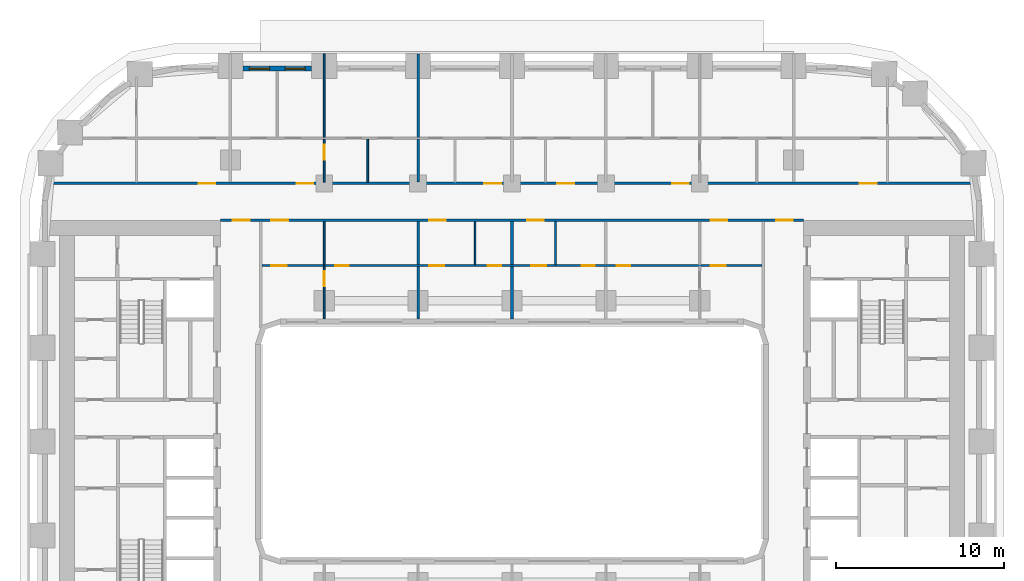
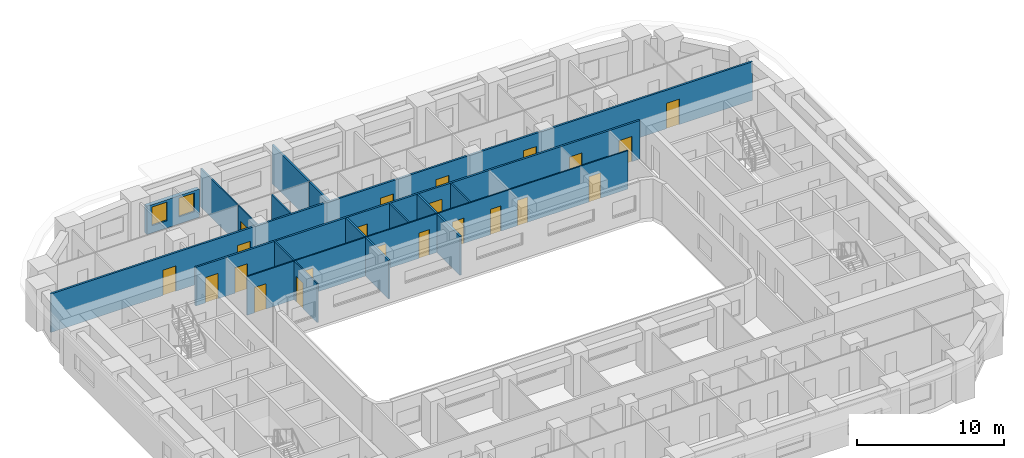
# One storey, part 8 of 21: 22 doors, 17 walls, 2 windows, 24 openings.
"""IFC4 building model written with IfcOpenShell, lengths in metres."""

from ifc_helpers import new_model, si_unit, direction, frame, frame_2d, origin, place, context, subcontext, project, spatial, rectangle, extrude, material, layer, layer_set, type_object, element, fill, save


model = new_model("IFC4")

# Units and contexts
model_context = context("Model", 3, precision=1e-05, world=origin(), true_north=direction((0.0, 1.0)))
body_context = subcontext(model_context, "Body", "Model", "MODEL_VIEW")
ifc_project = project(units=[si_unit("LENGTHUNIT", "METRE"), si_unit("AREAUNIT", "SQUARE_METRE"), si_unit("VOLUMEUNIT", "CUBIC_METRE"), si_unit("PLANEANGLEUNIT", "RADIAN"), si_unit("MASSUNIT", "GRAM", prefix="KILO")], contexts=[model_context])

# Site, building, storey
site_placement = place(None, origin())
site = spatial("IfcSite", under=ifc_project, at=site_placement, CompositionType="ELEMENT")
building_placement = place(site_placement, origin())
building = spatial("IfcBuilding", under=site, at=building_placement, Name="Kiln Ring Residences", CompositionType="ELEMENT")
storey_placement = place(building_placement, frame((0.0, 0.0, 41.0)))
storey = spatial("IfcBuildingStorey", under=building, at=storey_placement, Name="L09", CompositionType="ELEMENT", Elevation=41.0)

# Wall, openings, windows
ifc_material_1 = material(Name="Brick masonry, dark clay brick", Category="masonry")
ifc_layer_1 = layer(ifc_material_1, 0.300048828125)
ifc_layer_set_1 = layer_set([ifc_layer_1], Name="EW-300 BRICK WALL")
wall_type_1 = type_object("IfcWallType", Name="EW-300 BRICK WALL", PredefinedType="SOLIDWALL", material=ifc_layer_set_1)
wall_1_placement = place(storey_placement, frame((-11.949951171875, 22.25, 0.0), z_axis=(0.0, 0.0, 1.0), x_axis=(-1.0, 0.0, 0.0)))
wall_1 = element("IfcWall", 1, at=wall_1_placement, inside=storey, type_object=wall_type_1, Name="Facade wall L09 34", PredefinedType="SOLIDWALL", context=body_context, shape_type="SweptSolid", body=[
    extrude(rectangle(XDim=4.10009765625, YDim=0.300048828125, at=frame_2d((2.050048828125, 0.0))), origin(), (0.0, 0.0, 1.0), 2.35009765625),
])
opening_1_placement = place(wall_1_placement, frame((0.387451171875, 0.0, 0.60009765625)))
opening_1 = element("IfcOpeningElement", 2, at=opening_1_placement, cuts=wall_1, Name="Opening W1", PredefinedType="OPENING", context=body_context, shape_type="SweptSolid", body=[
    extrude(rectangle(XDim=1.199951171875, YDim=1.550048828125, at=frame_2d((0.60009765625, 0.77490234375))), frame((0.0, 0.159912109375, 0.0), z_axis=(0.0, -1.0, 0.0), x_axis=(1.0, 0.0, 0.0)), (0.0, 0.0, 1.0), 0.320068359375),
])
opening_2_placement = place(wall_1_placement, frame((2.512451171875, 0.0, 0.60009765625)))
opening_2 = element("IfcOpeningElement", 3, at=opening_2_placement, cuts=wall_1, Name="Opening W1", PredefinedType="OPENING", context=body_context, shape_type="SweptSolid", body=[
    extrude(rectangle(XDim=1.199951171875, YDim=1.550048828125, at=frame_2d((0.60009765625, 0.77490234375))), frame((0.0, 0.159912109375, 0.0), z_axis=(0.0, -1.0, 0.0), x_axis=(1.0, 0.0, 0.0)), (0.0, 0.0, 1.0), 0.320068359375),
])
ifc_material_2 = material(Name="Aluminium frame with double glazing", Category="aluminium")
window_type = type_object("IfcWindowType", Name="WINDOW 1200 x 1550", PartitioningType="SINGLE_PANEL", PredefinedType="WINDOW", material=ifc_material_2)
window_1_placement = place(opening_1_placement, origin())
window_1 = element("IfcWindow", 4, at=window_1_placement, inside=storey, type_object=window_type, Name="Window L09 20", OverallHeight=1.550048828125, OverallWidth=1.199951171875, PartitioningType="SINGLE_PANEL", PredefinedType="WINDOW", context=body_context, shape_type="SweptSolid", body=[
    extrude(rectangle(XDim=1.199951171875, YDim=1.550048828125, at=frame_2d((0.60009765625, 0.77490234375))), frame((0.0, 0.030029296875, 0.0), z_axis=(0.0, -1.0, 0.0), x_axis=(1.0, 0.0, 0.0)), (0.0, 0.0, 1.0), 0.06005859375),
])
fill(opening_1, window_1)
window_2_placement = place(opening_2_placement, origin())
window_2 = element("IfcWindow", 5, at=window_2_placement, inside=storey, type_object=window_type, Name="Window L09 21", OverallHeight=1.550048828125, OverallWidth=1.199951171875, PartitioningType="SINGLE_PANEL", PredefinedType="WINDOW", context=body_context, shape_type="SweptSolid", body=[
    extrude(rectangle(XDim=1.199951171875, YDim=1.550048828125, at=frame_2d((0.60009765625, 0.77490234375))), frame((0.0, 0.030029296875, 0.0), z_axis=(0.0, -1.0, 0.0), x_axis=(1.0, 0.0, 0.0)), (0.0, 0.0, 1.0), 0.06005859375),
])
fill(opening_2, window_2)

# Wall, openings, doors
ifc_material_3 = material(Name="Gypsum board on steel studs", Category="steel")
ifc_layer_2 = layer(ifc_material_3, 0.10009765625)
ifc_layer_set_2 = layer_set([ifc_layer_2], Name="PARTITION-100")
wall_type_2 = type_object("IfcWallType", Name="PARTITION-100", PredefinedType="PARTITIONING", material=ifc_layer_set_2)
wall_2_placement = place(storey_placement, frame((-14.925048828125, 10.5, 0.0), z_axis=(0.0, 0.0, 1.0), x_axis=(1.0, 0.0, 0.0)))
wall_2 = element("IfcWall", 6, at=wall_2_placement, inside=storey, type_object=wall_type_2, Name="Partition 003", PredefinedType="PARTITIONING", context=body_context, shape_type="SweptSolid", body=[
    extrude(rectangle(XDim=29.85009765625, YDim=0.10009765625, at=frame_2d((14.925048828125, 0.0))), origin(), (0.0, 0.0, 1.0), 3.199951171875),
])
opening_3_placement = place(wall_2_placement, frame((4.375, 0.0, 0.0)))
opening_3 = element("IfcOpeningElement", 7, at=opening_3_placement, cuts=wall_2, Name="Opening L09-D006", PredefinedType="OPENING", context=body_context, shape_type="SweptSolid", body=[
    extrude(rectangle(XDim=0.800048828125, YDim=2.10009765625, at=frame_2d((0.39990234375, 1.050048828125))), frame((0.0, 0.06005859375, 0.0), z_axis=(0.0, -1.0, 0.0), x_axis=(1.0, 0.0, 0.0)), (0.0, 0.0, 1.0), 0.1201171875),
])
opening_4_placement = place(wall_2_placement, frame((0.574951171875, 0.0, 0.0)))
opening_4 = element("IfcOpeningElement", 8, at=opening_4_placement, cuts=wall_2, Name="Opening L09-D007", PredefinedType="OPENING", context=body_context, shape_type="SweptSolid", body=[
    extrude(rectangle(XDim=0.89990234375, YDim=2.10009765625, at=frame_2d((0.449951171875, 1.050048828125))), frame((0.0, 0.06005859375, 0.0), z_axis=(0.0, -1.0, 0.0), x_axis=(1.0, 0.0, 0.0)), (0.0, 0.0, 1.0), 0.1201171875),
])
opening_5_placement = place(wall_2_placement, frame((13.47509765625, 0.0, 0.0)))
opening_5 = element("IfcOpeningElement", 9, at=opening_5_placement, cuts=wall_2, Name="Opening L09-D010", PredefinedType="OPENING", context=body_context, shape_type="SweptSolid", body=[
    extrude(rectangle(XDim=0.800048828125, YDim=2.10009765625, at=frame_2d((0.39990234375, 1.050048828125))), frame((0.0, 0.06005859375, 0.0), z_axis=(0.0, -1.0, 0.0), x_axis=(1.0, 0.0, 0.0)), (0.0, 0.0, 1.0), 0.1201171875),
])
opening_6_placement = place(wall_2_placement, frame((9.97509765625, 0.0, 0.0)))
opening_6 = element("IfcOpeningElement", 10, at=opening_6_placement, cuts=wall_2, Name="Opening L09-D011", PredefinedType="OPENING", context=body_context, shape_type="SweptSolid", body=[
    extrude(rectangle(XDim=0.89990234375, YDim=2.10009765625, at=frame_2d((0.449951171875, 1.050048828125))), frame((0.0, 0.06005859375, 0.0), z_axis=(0.0, -1.0, 0.0), x_axis=(1.0, 0.0, 0.0)), (0.0, 0.0, 1.0), 0.1201171875),
])
opening_7_placement = place(wall_2_placement, frame((19.074951171875, 0.0, 0.0)))
opening_7 = element("IfcOpeningElement", 11, at=opening_7_placement, cuts=wall_2, Name="Opening L09-D013", PredefinedType="OPENING", context=body_context, shape_type="SweptSolid", body=[
    extrude(rectangle(XDim=0.800048828125, YDim=2.10009765625, at=frame_2d((0.39990234375, 1.050048828125))), frame((0.0, 0.06005859375, 0.0), z_axis=(0.0, -1.0, 0.0), x_axis=(1.0, 0.0, 0.0)), (0.0, 0.0, 1.0), 0.1201171875),
])
opening_8_placement = place(wall_2_placement, frame((16.074951171875, 0.0, 0.0)))
opening_8 = element("IfcOpeningElement", 12, at=opening_8_placement, cuts=wall_2, Name="Opening L09-D014", PredefinedType="OPENING", context=body_context, shape_type="SweptSolid", body=[
    extrude(rectangle(XDim=0.89990234375, YDim=2.10009765625, at=frame_2d((0.449951171875, 1.050048828125))), frame((0.0, 0.06005859375, 0.0), z_axis=(0.0, -1.0, 0.0), x_axis=(1.0, 0.0, 0.0)), (0.0, 0.0, 1.0), 0.1201171875),
])
opening_9_placement = place(wall_2_placement, frame((21.175048828125, 0.0, 0.0)))
opening_9 = element("IfcOpeningElement", 13, at=opening_9_placement, cuts=wall_2, Name="Opening L09-D016", PredefinedType="OPENING", context=body_context, shape_type="SweptSolid", body=[
    extrude(rectangle(XDim=0.800048828125, YDim=2.10009765625, at=frame_2d((0.39990234375, 1.050048828125))), frame((0.0, 0.06005859375, 0.0), z_axis=(0.0, -1.0, 0.0), x_axis=(1.0, 0.0, 0.0)), (0.0, 0.0, 1.0), 0.1201171875),
])
opening_10_placement = place(wall_2_placement, frame((26.77490234375, 0.0, 0.0)))
opening_10 = element("IfcOpeningElement", 14, at=opening_10_placement, cuts=wall_2, Name="Opening L09-D017", PredefinedType="OPENING", context=body_context, shape_type="SweptSolid", body=[
    extrude(rectangle(XDim=0.89990234375, YDim=2.10009765625, at=frame_2d((0.449951171875, 1.050048828125))), frame((0.0, 0.06005859375, 0.0), z_axis=(0.0, -1.0, 0.0), x_axis=(1.0, 0.0, 0.0)), (0.0, 0.0, 1.0), 0.1201171875),
])
ifc_material_4 = material(Name="Timber door leaf", Category="wood")
door_type_1 = type_object("IfcDoorType", Name="FLAT-DOOR-800-PL", OperationType="SINGLE_SWING_LEFT", PredefinedType="DOOR", material=ifc_material_4)
door_1_placement = place(opening_3_placement, origin())
door_1 = element("IfcDoor", 15, at=door_1_placement, inside=storey, type_object=door_type_1, Name="Door L09-D006", OperationType="SINGLE_SWING_RIGHT", OverallHeight=2.10009765625, OverallWidth=0.800048828125, PredefinedType="DOOR", context=body_context, shape_type="SweptSolid", body=[
    extrude(rectangle(XDim=0.800048828125, YDim=2.10009765625, at=frame_2d((0.39990234375, 1.050048828125))), frame((0.0, 0.02490234375, 0.0), z_axis=(0.0, -1.0, 0.0), x_axis=(1.0, 0.0, 0.0)), (0.0, 0.0, 1.0), 0.050048828125),
])
fill(opening_3, door_1)
door_2_placement = place(opening_5_placement, origin())
door_2 = element("IfcDoor", 16, at=door_2_placement, inside=storey, type_object=door_type_1, Name="Door L09-D010", OperationType="SINGLE_SWING_RIGHT", OverallHeight=2.10009765625, OverallWidth=0.800048828125, PredefinedType="DOOR", context=body_context, shape_type="SweptSolid", body=[
    extrude(rectangle(XDim=0.800048828125, YDim=2.10009765625, at=frame_2d((0.39990234375, 1.050048828125))), frame((0.0, 0.02490234375, 0.0), z_axis=(0.0, -1.0, 0.0), x_axis=(1.0, 0.0, 0.0)), (0.0, 0.0, 1.0), 0.050048828125),
])
fill(opening_5, door_2)
door_3_placement = place(opening_7_placement, origin())
door_3 = element("IfcDoor", 17, at=door_3_placement, inside=storey, type_object=door_type_1, Name="Door L09-D013", OperationType="SINGLE_SWING_LEFT", OverallHeight=2.10009765625, OverallWidth=0.800048828125, PredefinedType="DOOR", context=body_context, shape_type="SweptSolid", body=[
    extrude(rectangle(XDim=0.800048828125, YDim=2.10009765625, at=frame_2d((0.39990234375, 1.050048828125))), frame((0.0, 0.02490234375, 0.0), z_axis=(0.0, -1.0, 0.0), x_axis=(1.0, 0.0, 0.0)), (0.0, 0.0, 1.0), 0.050048828125),
])
fill(opening_7, door_3)
door_4_placement = place(opening_9_placement, origin())
door_4 = element("IfcDoor", 18, at=door_4_placement, inside=storey, type_object=door_type_1, Name="Door L09-D016", OperationType="SINGLE_SWING_RIGHT", OverallHeight=2.10009765625, OverallWidth=0.800048828125, PredefinedType="DOOR", context=body_context, shape_type="SweptSolid", body=[
    extrude(rectangle(XDim=0.800048828125, YDim=2.10009765625, at=frame_2d((0.39990234375, 1.050048828125))), frame((0.0, 0.02490234375, 0.0), z_axis=(0.0, -1.0, 0.0), x_axis=(1.0, 0.0, 0.0)), (0.0, 0.0, 1.0), 0.050048828125),
])
fill(opening_9, door_4)
ifc_material_5 = material(Name="Timber door leaf", Category="wood")
door_type_2 = type_object("IfcDoorType", Name="FLAT-DOOR-900-PL", OperationType="SINGLE_SWING_LEFT", PredefinedType="DOOR", material=ifc_material_5)
door_5_placement = place(opening_4_placement, origin())
door_5 = element("IfcDoor", 19, at=door_5_placement, inside=storey, type_object=door_type_2, Name="Door L09-D007", OperationType="SINGLE_SWING_LEFT", OverallHeight=2.10009765625, OverallWidth=0.89990234375, PredefinedType="DOOR", context=body_context, shape_type="SweptSolid", body=[
    extrude(rectangle(XDim=0.89990234375, YDim=2.10009765625, at=frame_2d((0.449951171875, 1.050048828125))), frame((0.0, 0.02490234375, 0.0), z_axis=(0.0, -1.0, 0.0), x_axis=(1.0, 0.0, 0.0)), (0.0, 0.0, 1.0), 0.050048828125),
])
fill(opening_4, door_5)
door_6_placement = place(opening_6_placement, origin())
door_6 = element("IfcDoor", 20, at=door_6_placement, inside=storey, type_object=door_type_2, Name="Door L09-D011", OperationType="SINGLE_SWING_LEFT", OverallHeight=2.10009765625, OverallWidth=0.89990234375, PredefinedType="DOOR", context=body_context, shape_type="SweptSolid", body=[
    extrude(rectangle(XDim=0.89990234375, YDim=2.10009765625, at=frame_2d((0.449951171875, 1.050048828125))), frame((0.0, 0.02490234375, 0.0), z_axis=(0.0, -1.0, 0.0), x_axis=(1.0, 0.0, 0.0)), (0.0, 0.0, 1.0), 0.050048828125),
])
fill(opening_6, door_6)
door_7_placement = place(opening_8_placement, origin())
door_7 = element("IfcDoor", 21, at=door_7_placement, inside=storey, type_object=door_type_2, Name="Door L09-D014", OperationType="SINGLE_SWING_RIGHT", OverallHeight=2.10009765625, OverallWidth=0.89990234375, PredefinedType="DOOR", context=body_context, shape_type="SweptSolid", body=[
    extrude(rectangle(XDim=0.89990234375, YDim=2.10009765625, at=frame_2d((0.449951171875, 1.050048828125))), frame((0.0, 0.02490234375, 0.0), z_axis=(0.0, -1.0, 0.0), x_axis=(1.0, 0.0, 0.0)), (0.0, 0.0, 1.0), 0.050048828125),
])
fill(opening_8, door_7)
door_8_placement = place(opening_10_placement, origin())
door_8 = element("IfcDoor", 22, at=door_8_placement, inside=storey, type_object=door_type_2, Name="Door L09-D017", OperationType="SINGLE_SWING_LEFT", OverallHeight=2.10009765625, OverallWidth=0.89990234375, PredefinedType="DOOR", context=body_context, shape_type="SweptSolid", body=[
    extrude(rectangle(XDim=0.89990234375, YDim=2.10009765625, at=frame_2d((0.449951171875, 1.050048828125))), frame((0.0, 0.02490234375, 0.0), z_axis=(0.0, -1.0, 0.0), x_axis=(1.0, 0.0, 0.0)), (0.0, 0.0, 1.0), 0.050048828125),
])
fill(opening_10, door_8)

# Wall, opening, door
wall_3_placement = place(storey_placement, frame((-11.199951171875, 7.320068359375, 0.0), z_axis=(0.0, 0.0, 1.0), x_axis=(0.0, 1.0, 0.0)))
wall_3 = element("IfcWall", 23, at=wall_3_placement, inside=storey, type_object=wall_type_2, Name="Partition 020", PredefinedType="PARTITIONING", context=body_context, shape_type="SweptSolid", body=[
    extrude(rectangle(XDim=3.1298828125, YDim=0.10009765625, at=frame_2d((1.56494140625, 0.0))), origin(), (0.0, 0.0, 1.0), 3.199951171875),
])
opening_11_placement = place(wall_3_placement, frame((1.949951171875, 0.0, 0.0)))
opening_11 = element("IfcOpeningElement", 24, at=opening_11_placement, cuts=wall_3, Name="Opening L09-D008", PredefinedType="OPENING", context=body_context, shape_type="SweptSolid", body=[
    extrude(rectangle(XDim=0.89990234375, YDim=2.10009765625, at=frame_2d((0.449951171875, 1.050048828125))), frame((0.0, 0.06005859375, 0.0), z_axis=(0.0, -1.0, 0.0), x_axis=(1.0, 0.0, 0.0)), (0.0, 0.0, 1.0), 0.1201171875),
])
door_9_placement = place(opening_11_placement, origin())
door_9 = element("IfcDoor", 25, at=door_9_placement, inside=storey, type_object=door_type_2, Name="Door L09-D008", OperationType="SINGLE_SWING_RIGHT", OverallHeight=2.10009765625, OverallWidth=0.89990234375, PredefinedType="DOOR", context=body_context, shape_type="SweptSolid", body=[
    extrude(rectangle(XDim=0.89990234375, YDim=2.10009765625, at=frame_2d((0.449951171875, 1.050048828125))), frame((0.0, 0.02490234375, 0.0), z_axis=(0.0, -1.0, 0.0), x_axis=(1.0, 0.0, 0.0)), (0.0, 0.0, 1.0), 0.050048828125),
])
fill(opening_11, door_9)

# Wall
wall_4_placement = place(storey_placement, frame((-11.199951171875, 10.550048828125, 0.0), z_axis=(0.0, 0.0, 1.0), x_axis=(0.0, 1.0, 0.0)))
element("IfcWall", 26, at=wall_4_placement, inside=storey, type_object=wall_type_2, Name="Partition 021", PredefinedType="PARTITIONING", context=body_context, shape_type="SweptSolid", body=[
    extrude(rectangle(XDim=2.574951171875, YDim=0.10009765625, at=frame_2d((1.28759765625, 0.0))), origin(), (0.0, 0.0, 1.0), 3.199951171875),
])

# Wall, opening, door
wall_5_placement = place(storey_placement, frame((-11.199951171875, 15.47509765625, 0.0), z_axis=(0.0, 0.0, 1.0), x_axis=(0.0, 1.0, 0.0)))
wall_5 = element("IfcWall", 27, at=wall_5_placement, inside=storey, type_object=wall_type_2, Name="Partition 022", PredefinedType="PARTITIONING", context=body_context, shape_type="SweptSolid", body=[
    extrude(rectangle(XDim=2.574951171875, YDim=0.10009765625, at=frame_2d((1.28759765625, 0.0))), origin(), (0.0, 0.0, 1.0), 3.199951171875),
])
opening_12_placement = place(wall_5_placement, frame((1.325927734375, 0.0, 0.0)))
opening_12 = element("IfcOpeningElement", 28, at=opening_12_placement, cuts=wall_5, Name="Opening L09-D024", PredefinedType="OPENING", context=body_context, shape_type="SweptSolid", body=[
    extrude(rectangle(XDim=0.89990234375, YDim=2.10009765625, at=frame_2d((0.449951171875, 1.050048828125))), frame((0.0, 0.06005859375, 0.0), z_axis=(0.0, -1.0, 0.0), x_axis=(1.0, 0.0, 0.0)), (0.0, 0.0, 1.0), 0.1201171875),
])
door_10_placement = place(opening_12_placement, origin())
door_10 = element("IfcDoor", 29, at=door_10_placement, inside=storey, type_object=door_type_2, Name="Door L09-D024", OperationType="SINGLE_SWING_RIGHT", OverallHeight=2.10009765625, OverallWidth=0.89990234375, PredefinedType="DOOR", context=body_context, shape_type="SweptSolid", body=[
    extrude(rectangle(XDim=0.89990234375, YDim=2.10009765625, at=frame_2d((0.449951171875, 1.050048828125))), frame((0.0, 0.02490234375, 0.0), z_axis=(0.0, -1.0, 0.0), x_axis=(1.0, 0.0, 0.0)), (0.0, 0.0, 1.0), 0.050048828125),
])
fill(opening_12, door_10)

# Walls
wall_6_placement = place(storey_placement, frame((-11.199951171875, 18.14990234375, 0.0), z_axis=(0.0, 0.0, 1.0), x_axis=(0.0, 1.0, 0.0)))
element("IfcWall", 30, at=wall_6_placement, inside=storey, type_object=wall_type_2, Name="Partition 023", PredefinedType="PARTITIONING", context=body_context, shape_type="SweptSolid", body=[
    extrude(rectangle(XDim=4.97998046875, YDim=0.10009765625, at=frame_2d((2.489990234375, 0.0))), origin(), (0.0, 0.0, 1.0), 3.199951171875),
])
for number, where, z_axis, x_axis, name in (
    (31, (-8.60009765625, 15.47509765625, 0.0), (0.0, 0.0, 1.0), (0.0, 1.0, 0.0), "Partition 026"),
    (32, (-2.199951171875, 10.550048828125, 0.0), (0.0, 0.0, 1.0), (0.0, 1.0, 0.0), "Partition 037"),
    (33, (2.60009765625, 10.550048828125, 0.0), (0.0, 0.0, 1.0), (0.0, 1.0, 0.0), "Partition 046"),
):
    element("IfcWall", number, at=place(storey_placement, frame(where, z_axis=z_axis, x_axis=x_axis)), inside=storey, type_object=wall_type_2, Name=name, PredefinedType="PARTITIONING", context=body_context, shape_type="SweptSolid", body=[
        extrude(rectangle(XDim=2.574951171875, YDim=0.10009765625, at=frame_2d((1.28759765625, 0.0))), origin(), (0.0, 0.0, 1.0), 3.199951171875),
    ])

# Wall, openings, doors
ifc_material_6 = material(Name="Brick masonry partition", Category="masonry")
ifc_layer_3 = layer(ifc_material_6, 0.14990234375)
ifc_layer_set_3 = layer_set([ifc_layer_3], Name="PARTITION-150-ei60")
wall_type_3 = type_object("IfcWallType", Name="PARTITION-150-ei60", PredefinedType="PARTITIONING", material=ifc_layer_set_3)
wall_7_placement = place(storey_placement, frame((-17.39990234375, 13.199951171875, 0.0), z_axis=(0.0, 0.0, 1.0), x_axis=(1.0, 0.0, 0.0)))
wall_7 = element("IfcWall", 34, at=wall_7_placement, inside=storey, type_object=wall_type_3, Name="Partition 004", PredefinedType="PARTITIONING", context=body_context, shape_type="SweptSolid", body=[
    extrude(rectangle(XDim=34.7998046875, YDim=0.14990234375, at=frame_2d((17.39990234375, 0.0))), origin(), (0.0, 0.0, 1.0), 3.199951171875),
])
opening_13_placement = place(wall_7_placement, frame((0.75, 0.0, 0.0)))
opening_13 = element("IfcOpeningElement", 35, at=opening_13_placement, cuts=wall_7, Name="Opening L09-D001", PredefinedType="OPENING", context=body_context, shape_type="SweptSolid", body=[
    extrude(rectangle(XDim=1.0, YDim=2.10009765625, at=frame_2d((0.5, 1.050048828125))), frame((0.0, 0.0849609375, 0.0), z_axis=(0.0, -1.0, 0.0), x_axis=(1.0, 0.0, 0.0)), (0.0, 0.0, 1.0), 0.169921875),
])
opening_14_placement = place(wall_7_placement, frame((33.14990234375, 0.0, 0.0)))
opening_14 = element("IfcOpeningElement", 36, at=opening_14_placement, cuts=wall_7, Name="Opening L09-D002", PredefinedType="OPENING", context=body_context, shape_type="SweptSolid", body=[
    extrude(rectangle(XDim=1.0, YDim=2.10009765625, at=frame_2d((0.5, 1.050048828125))), frame((0.0, 0.0849609375, 0.0), z_axis=(0.0, -1.0, 0.0), x_axis=(1.0, 0.0, 0.0)), (0.0, 0.0, 1.0), 0.169921875),
])
opening_15_placement = place(wall_7_placement, frame((3.050048828125, 0.0, 0.0)))
opening_15 = element("IfcOpeningElement", 37, at=opening_15_placement, cuts=wall_7, Name="Opening L09-D005", PredefinedType="OPENING", context=body_context, shape_type="SweptSolid", body=[
    extrude(rectangle(XDim=1.0, YDim=2.10009765625, at=frame_2d((0.5, 1.050048828125))), frame((0.0, 0.0849609375, 0.0), z_axis=(0.0, -1.0, 0.0), x_axis=(1.0, 0.0, 0.0)), (0.0, 0.0, 1.0), 0.169921875),
])
opening_16_placement = place(wall_7_placement, frame((12.449951171875, 0.0, 0.0)))
opening_16 = element("IfcOpeningElement", 38, at=opening_16_placement, cuts=wall_7, Name="Opening L09-D009", PredefinedType="OPENING", context=body_context, shape_type="SweptSolid", body=[
    extrude(rectangle(XDim=1.0, YDim=2.10009765625, at=frame_2d((0.5, 1.050048828125))), frame((0.0, 0.0849609375, 0.0), z_axis=(0.0, -1.0, 0.0), x_axis=(1.0, 0.0, 0.0)), (0.0, 0.0, 1.0), 0.169921875),
])
opening_17_placement = place(wall_7_placement, frame((18.300048828125, 0.0, 0.0)))
opening_17 = element("IfcOpeningElement", 39, at=opening_17_placement, cuts=wall_7, Name="Opening L09-D012", PredefinedType="OPENING", context=body_context, shape_type="SweptSolid", body=[
    extrude(rectangle(XDim=1.0, YDim=2.10009765625, at=frame_2d((0.5, 1.050048828125))), frame((0.0, 0.0849609375, 0.0), z_axis=(0.0, -1.0, 0.0), x_axis=(1.0, 0.0, 0.0)), (0.0, 0.0, 1.0), 0.169921875),
])
opening_18_placement = place(wall_7_placement, frame((29.25, 0.0, 0.0)))
opening_18 = element("IfcOpeningElement", 40, at=opening_18_placement, cuts=wall_7, Name="Opening L09-D015", PredefinedType="OPENING", context=body_context, shape_type="SweptSolid", body=[
    extrude(rectangle(XDim=1.0, YDim=2.10009765625, at=frame_2d((0.5, 1.050048828125))), frame((0.0, 0.0849609375, 0.0), z_axis=(0.0, -1.0, 0.0), x_axis=(1.0, 0.0, 0.0)), (0.0, 0.0, 1.0), 0.169921875),
])
ifc_material_7 = material(Name="Steel faced fire door leaf", Category="steel")
door_type_3 = type_object("IfcDoorType", Name="FLAT-DOOR-1000-FR", OperationType="SINGLE_SWING_LEFT", PredefinedType="DOOR", material=ifc_material_7)
door_11_placement = place(opening_13_placement, origin())
door_11 = element("IfcDoor", 41, at=door_11_placement, inside=storey, type_object=door_type_3, Name="Door L09-D001", OperationType="SINGLE_SWING_RIGHT", OverallHeight=2.10009765625, OverallWidth=1.0, PredefinedType="DOOR", context=body_context, shape_type="SweptSolid", body=[
    extrude(rectangle(XDim=1.0, YDim=2.10009765625, at=frame_2d((0.5, 1.050048828125))), frame((0.0, 0.02490234375, 0.0), z_axis=(0.0, -1.0, 0.0), x_axis=(1.0, 0.0, 0.0)), (0.0, 0.0, 1.0), 0.050048828125),
])
fill(opening_13, door_11)
door_12_placement = place(opening_14_placement, origin())
door_12 = element("IfcDoor", 42, at=door_12_placement, inside=storey, type_object=door_type_3, Name="Door L09-D002", OperationType="SINGLE_SWING_LEFT", OverallHeight=2.10009765625, OverallWidth=1.0, PredefinedType="DOOR", context=body_context, shape_type="SweptSolid", body=[
    extrude(rectangle(XDim=1.0, YDim=2.10009765625, at=frame_2d((0.5, 1.050048828125))), frame((0.0, 0.02490234375, 0.0), z_axis=(0.0, -1.0, 0.0), x_axis=(1.0, 0.0, 0.0)), (0.0, 0.0, 1.0), 0.050048828125),
])
fill(opening_14, door_12)
door_13_placement = place(opening_15_placement, origin())
door_13 = element("IfcDoor", 43, at=door_13_placement, inside=storey, type_object=door_type_3, Name="Door L09-D005", OperationType="SINGLE_SWING_LEFT", OverallHeight=2.10009765625, OverallWidth=1.0, PredefinedType="DOOR", context=body_context, shape_type="SweptSolid", body=[
    extrude(rectangle(XDim=1.0, YDim=2.10009765625, at=frame_2d((0.5, 1.050048828125))), frame((0.0, 0.02490234375, 0.0), z_axis=(0.0, -1.0, 0.0), x_axis=(1.0, 0.0, 0.0)), (0.0, 0.0, 1.0), 0.050048828125),
])
fill(opening_15, door_13)
door_14_placement = place(opening_16_placement, origin())
door_14 = element("IfcDoor", 44, at=door_14_placement, inside=storey, type_object=door_type_3, Name="Door L09-D009", OperationType="SINGLE_SWING_LEFT", OverallHeight=2.10009765625, OverallWidth=1.0, PredefinedType="DOOR", context=body_context, shape_type="SweptSolid", body=[
    extrude(rectangle(XDim=1.0, YDim=2.10009765625, at=frame_2d((0.5, 1.050048828125))), frame((0.0, 0.02490234375, 0.0), z_axis=(0.0, -1.0, 0.0), x_axis=(1.0, 0.0, 0.0)), (0.0, 0.0, 1.0), 0.050048828125),
])
fill(opening_16, door_14)
door_15_placement = place(opening_17_placement, origin())
door_15 = element("IfcDoor", 45, at=door_15_placement, inside=storey, type_object=door_type_3, Name="Door L09-D012", OperationType="SINGLE_SWING_RIGHT", OverallHeight=2.10009765625, OverallWidth=1.0, PredefinedType="DOOR", context=body_context, shape_type="SweptSolid", body=[
    extrude(rectangle(XDim=1.0, YDim=2.10009765625, at=frame_2d((0.5, 1.050048828125))), frame((0.0, 0.02490234375, 0.0), z_axis=(0.0, -1.0, 0.0), x_axis=(1.0, 0.0, 0.0)), (0.0, 0.0, 1.0), 0.050048828125),
])
fill(opening_17, door_15)
door_16_placement = place(opening_18_placement, origin())
door_16 = element("IfcDoor", 46, at=door_16_placement, inside=storey, type_object=door_type_3, Name="Door L09-D015", OperationType="SINGLE_SWING_LEFT", OverallHeight=2.10009765625, OverallWidth=1.0, PredefinedType="DOOR", context=body_context, shape_type="SweptSolid", body=[
    extrude(rectangle(XDim=1.0, YDim=2.10009765625, at=frame_2d((0.5, 1.050048828125))), frame((0.0, 0.02490234375, 0.0), z_axis=(0.0, -1.0, 0.0), x_axis=(1.0, 0.0, 0.0)), (0.0, 0.0, 1.0), 0.050048828125),
])
fill(opening_18, door_16)

wall_8_placement = place(storey_placement, frame((-27.48388671875, 15.39990234375, 0.0), z_axis=(0.0, 0.0, 1.0), x_axis=(1.0, 0.0, 0.0)))
wall_8 = element("IfcWall", 47, at=wall_8_placement, inside=storey, type_object=wall_type_3, Name="Partition 005", PredefinedType="PARTITIONING", context=body_context, shape_type="SweptSolid", body=[
    extrude(rectangle(XDim=54.9677734375, YDim=0.14990234375, at=frame_2d((27.48388671875, 0.0))), origin(), (0.0, 0.0, 1.0), 3.199951171875),
])
opening_19_placement = place(wall_8_placement, frame((8.78369140625, 0.0, 0.0)))
opening_19 = element("IfcOpeningElement", 48, at=opening_19_placement, cuts=wall_8, Name="Opening L09-D019", PredefinedType="OPENING", context=body_context, shape_type="SweptSolid", body=[
    extrude(rectangle(XDim=1.0, YDim=2.10009765625, at=frame_2d((0.5, 1.050048828125))), frame((0.0, 0.0849609375, 0.0), z_axis=(0.0, -1.0, 0.0), x_axis=(1.0, 0.0, 0.0)), (0.0, 0.0, 1.0), 0.169921875),
])
opening_20_placement = place(wall_8_placement, frame((14.6337890625, 0.0, 0.0)))
opening_20 = element("IfcOpeningElement", 49, at=opening_20_placement, cuts=wall_8, Name="Opening L09-D023", PredefinedType="OPENING", context=body_context, shape_type="SweptSolid", body=[
    extrude(rectangle(XDim=1.0, YDim=2.10009765625, at=frame_2d((0.5, 1.050048828125))), frame((0.0, 0.0849609375, 0.0), z_axis=(0.0, -1.0, 0.0), x_axis=(1.0, 0.0, 0.0)), (0.0, 0.0, 1.0), 0.169921875),
])
opening_21_placement = place(wall_8_placement, frame((25.833740234375, 0.0, 0.0)))
opening_21 = element("IfcOpeningElement", 50, at=opening_21_placement, cuts=wall_8, Name="Opening L09-D029", PredefinedType="OPENING", context=body_context, shape_type="SweptSolid", body=[
    extrude(rectangle(XDim=1.0, YDim=2.10009765625, at=frame_2d((0.5, 1.050048828125))), frame((0.0, 0.0849609375, 0.0), z_axis=(0.0, -1.0, 0.0), x_axis=(1.0, 0.0, 0.0)), (0.0, 0.0, 1.0), 0.169921875),
])
opening_22_placement = place(wall_8_placement, frame((30.183837890625, 0.0, 0.0)))
opening_22 = element("IfcOpeningElement", 51, at=opening_22_placement, cuts=wall_8, Name="Opening L09-D032", PredefinedType="OPENING", context=body_context, shape_type="SweptSolid", body=[
    extrude(rectangle(XDim=1.0, YDim=2.10009765625, at=frame_2d((0.5, 1.050048828125))), frame((0.0, 0.0849609375, 0.0), z_axis=(0.0, -1.0, 0.0), x_axis=(1.0, 0.0, 0.0)), (0.0, 0.0, 1.0), 0.169921875),
])
opening_23_placement = place(wall_8_placement, frame((37.03369140625, 0.0, 0.0)))
opening_23 = element("IfcOpeningElement", 52, at=opening_23_placement, cuts=wall_8, Name="Opening L09-D035", PredefinedType="OPENING", context=body_context, shape_type="SweptSolid", body=[
    extrude(rectangle(XDim=1.0, YDim=2.10009765625, at=frame_2d((0.5, 1.050048828125))), frame((0.0, 0.0849609375, 0.0), z_axis=(0.0, -1.0, 0.0), x_axis=(1.0, 0.0, 0.0)), (0.0, 0.0, 1.0), 0.169921875),
])
opening_24_placement = place(wall_8_placement, frame((48.23388671875, 0.0, 0.0)))
opening_24 = element("IfcOpeningElement", 53, at=opening_24_placement, cuts=wall_8, Name="Opening L09-D041", PredefinedType="OPENING", context=body_context, shape_type="SweptSolid", body=[
    extrude(rectangle(XDim=1.0, YDim=2.10009765625, at=frame_2d((0.5, 1.050048828125))), frame((0.0, 0.0849609375, 0.0), z_axis=(0.0, -1.0, 0.0), x_axis=(1.0, 0.0, 0.0)), (0.0, 0.0, 1.0), 0.169921875),
])
door_17_placement = place(opening_19_placement, origin())
door_17 = element("IfcDoor", 54, at=door_17_placement, inside=storey, type_object=door_type_3, Name="Door L09-D019", OperationType="SINGLE_SWING_LEFT", OverallHeight=2.10009765625, OverallWidth=1.0, PredefinedType="DOOR", context=body_context, shape_type="SweptSolid", body=[
    extrude(rectangle(XDim=1.0, YDim=2.10009765625, at=frame_2d((0.5, 1.050048828125))), frame((0.0, 0.02490234375, 0.0), z_axis=(0.0, -1.0, 0.0), x_axis=(1.0, 0.0, 0.0)), (0.0, 0.0, 1.0), 0.050048828125),
])
fill(opening_19, door_17)
door_18_placement = place(opening_20_placement, origin())
door_18 = element("IfcDoor", 55, at=door_18_placement, inside=storey, type_object=door_type_3, Name="Door L09-D023", OperationType="SINGLE_SWING_LEFT", OverallHeight=2.10009765625, OverallWidth=1.0, PredefinedType="DOOR", context=body_context, shape_type="SweptSolid", body=[
    extrude(rectangle(XDim=1.0, YDim=2.10009765625, at=frame_2d((0.5, 1.050048828125))), frame((0.0, 0.02490234375, 0.0), z_axis=(0.0, -1.0, 0.0), x_axis=(1.0, 0.0, 0.0)), (0.0, 0.0, 1.0), 0.050048828125),
])
fill(opening_20, door_18)
door_19_placement = place(opening_21_placement, origin())
door_19 = element("IfcDoor", 56, at=door_19_placement, inside=storey, type_object=door_type_3, Name="Door L09-D029", OperationType="SINGLE_SWING_LEFT", OverallHeight=2.10009765625, OverallWidth=1.0, PredefinedType="DOOR", context=body_context, shape_type="SweptSolid", body=[
    extrude(rectangle(XDim=1.0, YDim=2.10009765625, at=frame_2d((0.5, 1.050048828125))), frame((0.0, 0.02490234375, 0.0), z_axis=(0.0, -1.0, 0.0), x_axis=(1.0, 0.0, 0.0)), (0.0, 0.0, 1.0), 0.050048828125),
])
fill(opening_21, door_19)
door_20_placement = place(opening_22_placement, origin())
door_20 = element("IfcDoor", 57, at=door_20_placement, inside=storey, type_object=door_type_3, Name="Door L09-D032", OperationType="SINGLE_SWING_RIGHT", OverallHeight=2.10009765625, OverallWidth=1.0, PredefinedType="DOOR", context=body_context, shape_type="SweptSolid", body=[
    extrude(rectangle(XDim=1.0, YDim=2.10009765625, at=frame_2d((0.5, 1.050048828125))), frame((0.0, 0.02490234375, 0.0), z_axis=(0.0, -1.0, 0.0), x_axis=(1.0, 0.0, 0.0)), (0.0, 0.0, 1.0), 0.050048828125),
])
fill(opening_22, door_20)
door_21_placement = place(opening_23_placement, origin())
door_21 = element("IfcDoor", 58, at=door_21_placement, inside=storey, type_object=door_type_3, Name="Door L09-D035", OperationType="SINGLE_SWING_LEFT", OverallHeight=2.10009765625, OverallWidth=1.0, PredefinedType="DOOR", context=body_context, shape_type="SweptSolid", body=[
    extrude(rectangle(XDim=1.0, YDim=2.10009765625, at=frame_2d((0.5, 1.050048828125))), frame((0.0, 0.02490234375, 0.0), z_axis=(0.0, -1.0, 0.0), x_axis=(1.0, 0.0, 0.0)), (0.0, 0.0, 1.0), 0.050048828125),
])
fill(opening_23, door_21)
door_22_placement = place(opening_24_placement, origin())
door_22 = element("IfcDoor", 59, at=door_22_placement, inside=storey, type_object=door_type_3, Name="Door L09-D041", OperationType="SINGLE_SWING_LEFT", OverallHeight=2.10009765625, OverallWidth=1.0, PredefinedType="DOOR", context=body_context, shape_type="SweptSolid", body=[
    extrude(rectangle(XDim=1.0, YDim=2.10009765625, at=frame_2d((0.5, 1.050048828125))), frame((0.0, 0.02490234375, 0.0), z_axis=(0.0, -1.0, 0.0), x_axis=(1.0, 0.0, 0.0)), (0.0, 0.0, 1.0), 0.050048828125),
])
fill(opening_24, door_22)

# Walls
wall_9_placement = place(storey_placement, frame((-5.60009765625, 7.320068359375, 0.0), z_axis=(0.0, 0.0, 1.0), x_axis=(0.0, 1.0, 0.0)))
element("IfcWall", 60, at=wall_9_placement, inside=storey, type_object=wall_type_3, Name="Partition 031", PredefinedType="PARTITIONING", context=body_context, shape_type="SweptSolid", body=[
    extrude(rectangle(XDim=3.1298828125, YDim=0.14990234375, at=frame_2d((1.56494140625, 0.0))), origin(), (0.0, 0.0, 1.0), 3.199951171875),
])
for number, where, z_axis, x_axis, name in (
    (61, (-5.60009765625, 10.550048828125, 0.0), (0.0, 0.0, 1.0), (0.0, 1.0, 0.0), "Partition 032"),
    (62, (-5.60009765625, 15.47509765625, 0.0), (0.0, 0.0, 1.0), (0.0, 1.0, 0.0), "Partition 033"),
):
    element("IfcWall", number, at=place(storey_placement, frame(where, z_axis=z_axis, x_axis=x_axis)), inside=storey, type_object=wall_type_3, Name=name, PredefinedType="PARTITIONING", context=body_context, shape_type="SweptSolid", body=[
        extrude(rectangle(XDim=2.574951171875, YDim=0.14990234375, at=frame_2d((1.28759765625, 0.0))), origin(), (0.0, 0.0, 1.0), 3.199951171875),
    ])
wall_10_placement = place(storey_placement, frame((-5.60009765625, 18.14990234375, 0.0), z_axis=(0.0, 0.0, 1.0), x_axis=(0.0, 1.0, 0.0)))
element("IfcWall", 63, at=wall_10_placement, inside=storey, type_object=wall_type_3, Name="Partition 034", PredefinedType="PARTITIONING", context=body_context, shape_type="SweptSolid", body=[
    extrude(rectangle(XDim=4.97998046875, YDim=0.14990234375, at=frame_2d((2.489990234375, 0.0))), origin(), (0.0, 0.0, 1.0), 3.199951171875),
])
wall_11_placement = place(storey_placement, frame((0.0, 7.320068359375, 0.0), z_axis=(0.0, 0.0, 1.0), x_axis=(0.0, 1.0, 0.0)))
element("IfcWall", 64, at=wall_11_placement, inside=storey, type_object=wall_type_3, Name="Partition 041", PredefinedType="PARTITIONING", context=body_context, shape_type="SweptSolid", body=[
    extrude(rectangle(XDim=3.1298828125, YDim=0.14990234375, at=frame_2d((1.56494140625, 0.0))), origin(), (0.0, 0.0, 1.0), 3.199951171875),
])
wall_12_placement = place(storey_placement, frame((0.0, 10.550048828125, 0.0), z_axis=(0.0, 0.0, 1.0), x_axis=(0.0, 1.0, 0.0)))
element("IfcWall", 65, at=wall_12_placement, inside=storey, type_object=wall_type_3, Name="Partition 042", PredefinedType="PARTITIONING", context=body_context, shape_type="SweptSolid", body=[
    extrude(rectangle(XDim=2.574951171875, YDim=0.14990234375, at=frame_2d((1.28759765625, 0.0))), origin(), (0.0, 0.0, 1.0), 3.199951171875),
])

save(model, "model.ifc")
